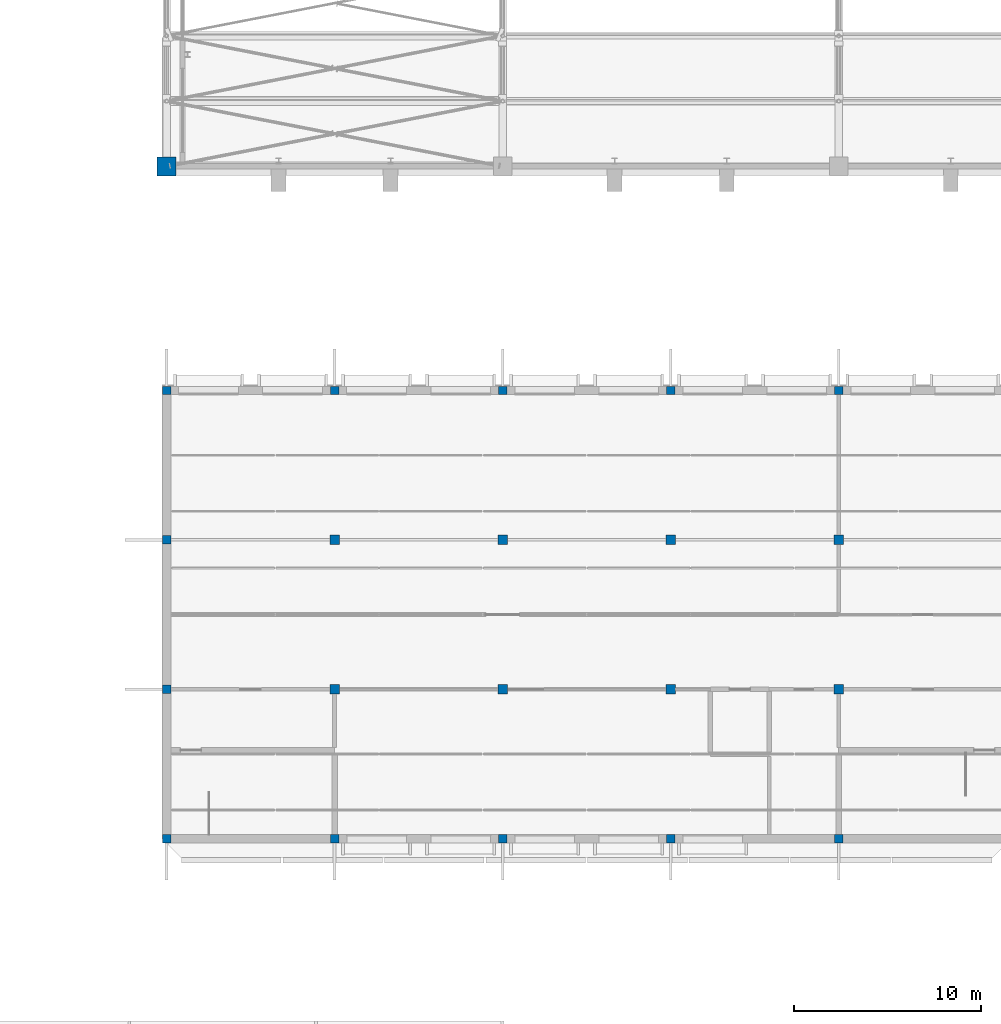
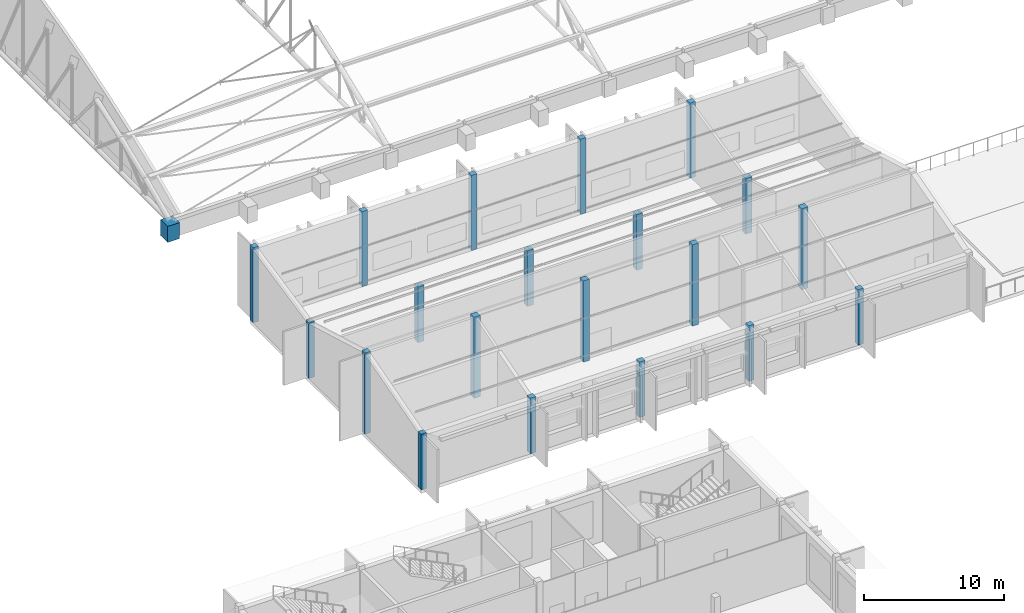
# One storey, part 6 of 196: 21 columns.
"""IFC4 building model written with IfcOpenShell, lengths in metres."""

from ifc_helpers import new_model, si_unit, direction, frame, origin, origin_2d, place, context, subcontext, project, spatial, rectangle, extrude, material, material_profile, profile_set, type_object, element, save


model = new_model("IFC4")

# Units and contexts
model_context = context("Model", 3, precision=1e-05, world=origin(), true_north=direction((0.0, 1.0)))
body_context = subcontext(model_context, "Body", "Model", "MODEL_VIEW")
ifc_project = project(units=[si_unit("LENGTHUNIT", "METRE"), si_unit("AREAUNIT", "SQUARE_METRE"), si_unit("VOLUMEUNIT", "CUBIC_METRE"), si_unit("PLANEANGLEUNIT", "RADIAN"), si_unit("MASSUNIT", "GRAM", prefix="KILO")], contexts=[model_context])

# Site, building, storey
site_placement = place(None, origin())
site = spatial("IfcSite", under=ifc_project, at=site_placement, CompositionType="ELEMENT")
building_placement = place(site_placement, origin())
building = spatial("IfcBuilding", under=site, at=building_placement, Name="Okhra Congress Centre", CompositionType="ELEMENT")
storey_placement = place(building_placement, frame((0.0, 0.0, 12.0)))
storey = spatial("IfcBuildingStorey", under=building, at=storey_placement, Name="L02", CompositionType="ELEMENT", Elevation=12.0)

# Columns
ifc_material_1 = material(Name="Concrete C40/50", Category="concrete")
ifc_material_profile_1 = material_profile(ifc_material_1, rectangle(XDim=1.0, YDim=1.0, at=origin_2d()), Name="RC 1000x1000")
ifc_profile_set_1 = profile_set([ifc_material_profile_1], Name="Concrete C40/50")
column_type_1 = type_object("IfcColumnType", Name="RC column 1000x1000 C40/50", PredefinedType="COLUMN", material=ifc_profile_set_1)
column_1_placement = place(storey_placement, frame((28.0, 132.0, 0.0), z_axis=(0.0, 0.0, 1.0), x_axis=(1.0, 0.0, 0.0)))
element("IfcColumn", 1, at=column_1_placement, inside=storey, type_object=column_type_1, Name="EH.COL.L02.SC1", PredefinedType="COLUMN", context=body_context, shape_type="SweptSolid", body=[
    extrude(rectangle(XDim=1.0, YDim=1.0, at=origin_2d()), origin(), (0.0, 0.0, 1.0), 1.39990234375),
])
ifc_material_2 = material(Name="Concrete C35/45", Category="concrete")
ifc_material_profile_2 = material_profile(ifc_material_2, rectangle(XDim=0.449951171875, YDim=0.449951171875, at=origin_2d()), Name="RC 450x450")
ifc_profile_set_2 = profile_set([ifc_material_profile_2], Name="Concrete C35/45")
column_type_2 = type_object("IfcColumnType", Name="RC column 450x450 C35/45", PredefinedType="COLUMN", material=ifc_profile_set_2)
column_2_placement = place(storey_placement, frame((28.0, 96.0, 0.0), z_axis=(0.0, 0.0, 1.0), x_axis=(1.0, 0.0, 0.0)))
element("IfcColumn", 2, at=column_2_placement, inside=storey, type_object=column_type_2, Name="SV.COL.L02.1", PredefinedType="COLUMN", context=body_context, shape_type="SweptSolid", body=[
    extrude(rectangle(XDim=0.449951171875, YDim=0.449951171875, at=origin_2d()), origin(), (0.0, 0.0, 1.0), 4.837890625),
])
column_3_placement = place(storey_placement, frame((28.0, 104.0, 0.0), z_axis=(0.0, 0.0, 1.0), x_axis=(1.0, 0.0, 0.0)))
element("IfcColumn", 3, at=column_3_placement, inside=storey, type_object=column_type_2, Name="SV.COL.L02.2", PredefinedType="COLUMN", context=body_context, shape_type="SweptSolid", body=[
    extrude(rectangle(XDim=0.449951171875, YDim=0.449951171875, at=origin_2d()), origin(), (0.0, 0.0, 1.0), 7.07177734375),
])
column_4_placement = place(storey_placement, frame((28.0, 112.0, 0.0), z_axis=(0.0, 0.0, 1.0), x_axis=(1.0, 0.0, 0.0)))
element("IfcColumn", 4, at=column_4_placement, inside=storey, type_object=column_type_2, Name="SV.COL.L02.3", PredefinedType="COLUMN", context=body_context, shape_type="SweptSolid", body=[
    extrude(rectangle(XDim=0.449951171875, YDim=0.449951171875, at=origin_2d()), origin(), (0.0, 0.0, 1.0), 4.84326171875),
])
column_5_placement = place(storey_placement, frame((28.0, 120.0, 0.0), z_axis=(0.0, 0.0, 1.0), x_axis=(1.0, 0.0, 0.0)))
element("IfcColumn", 5, at=column_5_placement, inside=storey, type_object=column_type_2, Name="SV.COL.L02.4", PredefinedType="COLUMN", context=body_context, shape_type="SweptSolid", body=[
    extrude(rectangle(XDim=0.449951171875, YDim=0.449951171875, at=origin_2d()), origin(), (0.0, 0.0, 1.0), 6.543701171875),
])
column_6_placement = place(storey_placement, frame((37.0, 96.0, 0.0), z_axis=(0.0, 0.0, 1.0), x_axis=(1.0, 0.0, 0.0)))
element("IfcColumn", 6, at=column_6_placement, inside=storey, type_object=column_type_2, Name="SV.COL.L02.5", PredefinedType="COLUMN", context=body_context, shape_type="SweptSolid", body=[
    extrude(rectangle(XDim=0.449951171875, YDim=0.449951171875, at=origin_2d()), origin(), (0.0, 0.0, 1.0), 4.837890625),
])
column_7_placement = place(storey_placement, frame((37.0, 120.0, 0.0), z_axis=(0.0, 0.0, 1.0), x_axis=(1.0, 0.0, 0.0)))
element("IfcColumn", 7, at=column_7_placement, inside=storey, type_object=column_type_2, Name="SV.COL.L02.8", PredefinedType="COLUMN", context=body_context, shape_type="SweptSolid", body=[
    extrude(rectangle(XDim=0.449951171875, YDim=0.449951171875, at=origin_2d()), origin(), (0.0, 0.0, 1.0), 6.543701171875),
])
column_8_placement = place(storey_placement, frame((46.0, 96.0, 0.0), z_axis=(0.0, 0.0, 1.0), x_axis=(1.0, 0.0, 0.0)))
element("IfcColumn", 8, at=column_8_placement, inside=storey, type_object=column_type_2, Name="SV.COL.L02.9", PredefinedType="COLUMN", context=body_context, shape_type="SweptSolid", body=[
    extrude(rectangle(XDim=0.449951171875, YDim=0.449951171875, at=origin_2d()), origin(), (0.0, 0.0, 1.0), 4.837890625),
])
column_9_placement = place(storey_placement, frame((46.0, 120.0, 0.0), z_axis=(0.0, 0.0, 1.0), x_axis=(1.0, 0.0, 0.0)))
element("IfcColumn", 9, at=column_9_placement, inside=storey, type_object=column_type_2, Name="SV.COL.L02.12", PredefinedType="COLUMN", context=body_context, shape_type="SweptSolid", body=[
    extrude(rectangle(XDim=0.449951171875, YDim=0.449951171875, at=origin_2d()), origin(), (0.0, 0.0, 1.0), 6.543701171875),
])
column_10_placement = place(storey_placement, frame((55.0, 96.0, 0.0), z_axis=(0.0, 0.0, 1.0), x_axis=(1.0, 0.0, 0.0)))
element("IfcColumn", 10, at=column_10_placement, inside=storey, type_object=column_type_2, Name="SV.COL.L02.13", PredefinedType="COLUMN", context=body_context, shape_type="SweptSolid", body=[
    extrude(rectangle(XDim=0.449951171875, YDim=0.449951171875, at=origin_2d()), origin(), (0.0, 0.0, 1.0), 4.837890625),
])
column_11_placement = place(storey_placement, frame((55.0, 120.0, 0.0), z_axis=(0.0, 0.0, 1.0), x_axis=(1.0, 0.0, 0.0)))
element("IfcColumn", 11, at=column_11_placement, inside=storey, type_object=column_type_2, Name="SV.COL.L02.16", PredefinedType="COLUMN", context=body_context, shape_type="SweptSolid", body=[
    extrude(rectangle(XDim=0.449951171875, YDim=0.449951171875, at=origin_2d()), origin(), (0.0, 0.0, 1.0), 6.543701171875),
])
column_12_placement = place(storey_placement, frame((64.0, 96.0, 0.0), z_axis=(0.0, 0.0, 1.0), x_axis=(1.0, 0.0, 0.0)))
element("IfcColumn", 12, at=column_12_placement, inside=storey, type_object=column_type_2, Name="SV.COL.L02.17", PredefinedType="COLUMN", context=body_context, shape_type="SweptSolid", body=[
    extrude(rectangle(XDim=0.449951171875, YDim=0.449951171875, at=origin_2d()), origin(), (0.0, 0.0, 1.0), 4.837890625),
])
column_13_placement = place(storey_placement, frame((64.0, 120.0, 0.0), z_axis=(0.0, 0.0, 1.0), x_axis=(1.0, 0.0, 0.0)))
element("IfcColumn", 13, at=column_13_placement, inside=storey, type_object=column_type_2, Name="SV.COL.L02.20", PredefinedType="COLUMN", context=body_context, shape_type="SweptSolid", body=[
    extrude(rectangle(XDim=0.449951171875, YDim=0.449951171875, at=origin_2d()), origin(), (0.0, 0.0, 1.0), 6.543701171875),
])
ifc_material_profile_3 = material_profile(ifc_material_2, rectangle(XDim=0.5, YDim=0.5, at=origin_2d()), Name="RC 500x500")
ifc_profile_set_3 = profile_set([ifc_material_profile_3], Name="Concrete C35/45")
column_type_3 = type_object("IfcColumnType", Name="RC column 500x500 C35/45", PredefinedType="COLUMN", material=ifc_profile_set_3)
column_14_placement = place(storey_placement, frame((37.0, 104.0, 0.0), z_axis=(0.0, 0.0, 1.0), x_axis=(1.0, 0.0, 0.0)))
element("IfcColumn", 14, at=column_14_placement, inside=storey, type_object=column_type_3, Name="SV.COL.L02.6", PredefinedType="COLUMN", context=body_context, shape_type="SweptSolid", body=[
    extrude(rectangle(XDim=0.5, YDim=0.5, at=origin_2d()), origin(), (0.0, 0.0, 1.0), 7.07177734375),
])
column_15_placement = place(storey_placement, frame((37.0, 112.0, 0.0), z_axis=(0.0, 0.0, 1.0), x_axis=(1.0, 0.0, 0.0)))
element("IfcColumn", 15, at=column_15_placement, inside=storey, type_object=column_type_3, Name="SV.COL.L02.7", PredefinedType="COLUMN", context=body_context, shape_type="SweptSolid", body=[
    extrude(rectangle(XDim=0.5, YDim=0.5, at=origin_2d()), origin(), (0.0, 0.0, 1.0), 4.84326171875),
])
column_16_placement = place(storey_placement, frame((46.0, 104.0, 0.0), z_axis=(0.0, 0.0, 1.0), x_axis=(1.0, 0.0, 0.0)))
element("IfcColumn", 16, at=column_16_placement, inside=storey, type_object=column_type_3, Name="SV.COL.L02.10", PredefinedType="COLUMN", context=body_context, shape_type="SweptSolid", body=[
    extrude(rectangle(XDim=0.5, YDim=0.5, at=origin_2d()), origin(), (0.0, 0.0, 1.0), 7.07177734375),
])
column_17_placement = place(storey_placement, frame((46.0, 112.0, 0.0), z_axis=(0.0, 0.0, 1.0), x_axis=(1.0, 0.0, 0.0)))
element("IfcColumn", 17, at=column_17_placement, inside=storey, type_object=column_type_3, Name="SV.COL.L02.11", PredefinedType="COLUMN", context=body_context, shape_type="SweptSolid", body=[
    extrude(rectangle(XDim=0.5, YDim=0.5, at=origin_2d()), origin(), (0.0, 0.0, 1.0), 4.84326171875),
])
column_18_placement = place(storey_placement, frame((55.0, 104.0, 0.0), z_axis=(0.0, 0.0, 1.0), x_axis=(1.0, 0.0, 0.0)))
element("IfcColumn", 18, at=column_18_placement, inside=storey, type_object=column_type_3, Name="SV.COL.L02.14", PredefinedType="COLUMN", context=body_context, shape_type="SweptSolid", body=[
    extrude(rectangle(XDim=0.5, YDim=0.5, at=origin_2d()), origin(), (0.0, 0.0, 1.0), 7.07177734375),
])
column_19_placement = place(storey_placement, frame((55.0, 112.0, 0.0), z_axis=(0.0, 0.0, 1.0), x_axis=(1.0, 0.0, 0.0)))
element("IfcColumn", 19, at=column_19_placement, inside=storey, type_object=column_type_3, Name="SV.COL.L02.15", PredefinedType="COLUMN", context=body_context, shape_type="SweptSolid", body=[
    extrude(rectangle(XDim=0.5, YDim=0.5, at=origin_2d()), origin(), (0.0, 0.0, 1.0), 4.84326171875),
])
column_20_placement = place(storey_placement, frame((64.0, 104.0, 0.0), z_axis=(0.0, 0.0, 1.0), x_axis=(1.0, 0.0, 0.0)))
element("IfcColumn", 20, at=column_20_placement, inside=storey, type_object=column_type_3, Name="SV.COL.L02.18", PredefinedType="COLUMN", context=body_context, shape_type="SweptSolid", body=[
    extrude(rectangle(XDim=0.5, YDim=0.5, at=origin_2d()), origin(), (0.0, 0.0, 1.0), 7.07177734375),
])
column_21_placement = place(storey_placement, frame((64.0, 112.0, 0.0), z_axis=(0.0, 0.0, 1.0), x_axis=(1.0, 0.0, 0.0)))
element("IfcColumn", 21, at=column_21_placement, inside=storey, type_object=column_type_3, Name="SV.COL.L02.19", PredefinedType="COLUMN", context=body_context, shape_type="SweptSolid", body=[
    extrude(rectangle(XDim=0.5, YDim=0.5, at=origin_2d()), origin(), (0.0, 0.0, 1.0), 4.84326171875),
])

save(model, "model.ifc")
